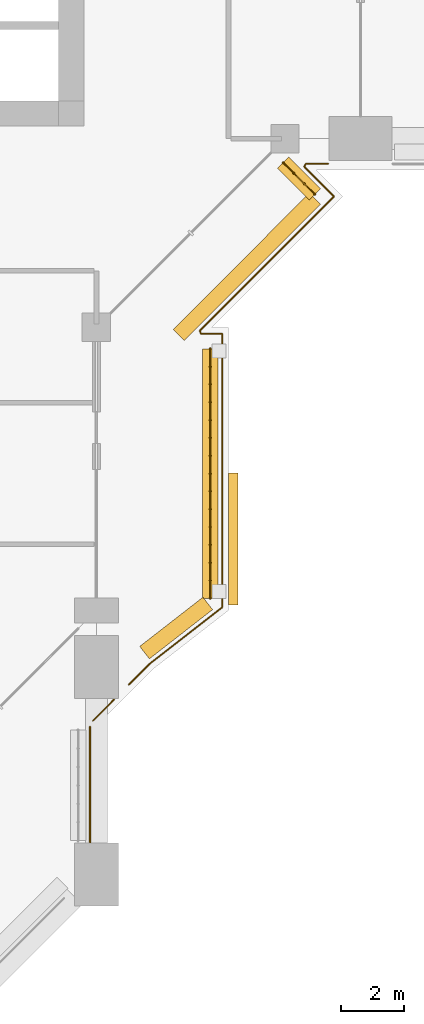
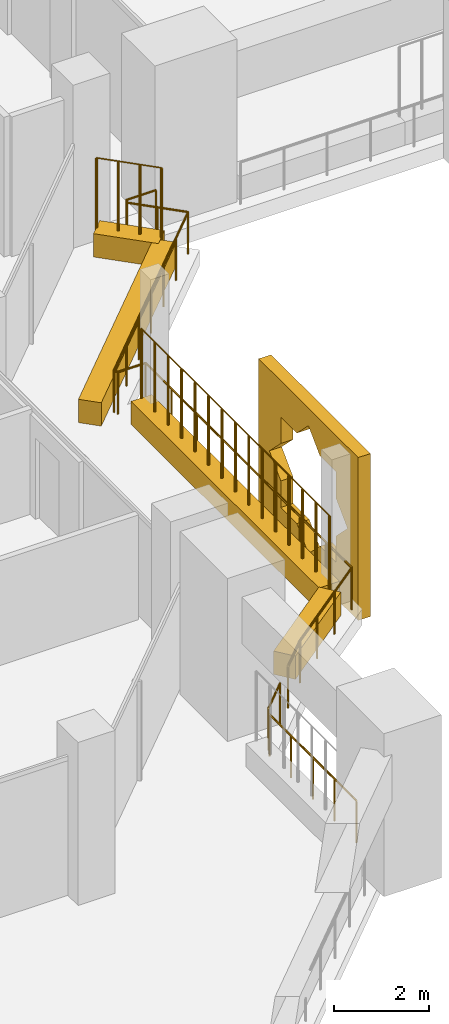
# One storey, part 19 of 24: 5 coverings, 5 railings.
"""IFC4 building model written with IfcOpenShell, lengths in metres."""

from ifc_helpers import new_model, si_unit, direction, frame, origin, origin_2d, place, context, subcontext, project, spatial, polyline, rectangle, circle, outline, extrude, material, material_profile, profile_set, type_object, element, save


model = new_model("IFC4")

# Units and contexts
model_context = context("Model", 3, precision=1e-05, world=origin(), true_north=direction((0.0, 1.0)))
body_context = subcontext(model_context, "Body", "Model", "MODEL_VIEW")
ifc_project = project(units=[si_unit("LENGTHUNIT", "METRE"), si_unit("AREAUNIT", "SQUARE_METRE"), si_unit("VOLUMEUNIT", "CUBIC_METRE"), si_unit("PLANEANGLEUNIT", "RADIAN"), si_unit("MASSUNIT", "GRAM", prefix="KILO")], contexts=[model_context])

# Site, building, storey
site_placement = place(None, origin())
site = spatial("IfcSite", under=ifc_project, at=site_placement, CompositionType="ELEMENT")
building_placement = place(site_placement, origin())
building = spatial("IfcBuilding", under=site, at=building_placement, Name="Kawkab Arch Medical Tower", CompositionType="ELEMENT")
storey_placement = place(building_placement, frame((0.0, 0.0, 218.0)))
storey = spatial("IfcBuildingStorey", under=building, at=storey_placement, Name="L50", CompositionType="ELEMENT", Elevation=218.0)

# Railings
ifc_material_1 = material(Name="Bronze anodised aluminium guard", Category="aluminium")
railing_type_1 = type_object("IfcRailingType", Name="Loggia and terrace guard 1100", PredefinedType="GUARDRAIL", material=ifc_material_1)
railing_1_placement = place(storey_placement, frame((25.0, -47.570068359375, 0.0)))
element("IfcRailing", 1, at=railing_1_placement, inside=storey, type_object=railing_type_1, Name="Guard L50.TER-01.1.5", PredefinedType="GUARDRAIL", context=body_context, shape_type="SweptSolid", body=[
    extrude(circle(Radius=0.02392578125, at=origin_2d()), frame((0.0, 0.0, 1.076171875), z_axis=(0.0, 1.0, 0.0), x_axis=(-1.0, 0.0, 0.0)), (0.0, 0.0, 1.0), 3.6640625),
    extrude(circle(Radius=0.02099609375, at=origin_2d()), origin(), (0.0, 0.0, 1.0), 1.052001953125),
    extrude(circle(Radius=0.02099609375, at=origin_2d()), frame((0.0, 0.916015625, 0.0)), (0.0, 0.0, 1.0), 1.052001953125),
    extrude(circle(Radius=0.02099609375, at=origin_2d()), frame((0.0, 1.83203125, 0.0)), (0.0, 0.0, 1.0), 1.052001953125),
    extrude(circle(Radius=0.02099609375, at=origin_2d()), frame((0.0, 2.748046875, 0.0)), (0.0, 0.0, 1.0), 1.052001953125),
    extrude(circle(Radius=0.02099609375, at=origin_2d()), frame((0.0, 3.6640625, 0.0)), (0.0, 0.0, 1.0), 1.052001953125),
])
railing_2_placement = place(storey_placement, frame((32.570068359375, -26.0, 0.0)))
element("IfcRailing", 2, at=railing_2_placement, inside=storey, type_object=railing_type_1, Name="Guard L50.LOG-01.1.4", PredefinedType="GUARDRAIL", context=body_context, shape_type="SweptSolid", body=[
    extrude(circle(Radius=0.02392578125, at=origin_2d()), frame((0.0, 0.0, 1.076171875), z_axis=(-1.0, 0.0, 0.0), x_axis=(0.0, -1.0, 0.0)), (0.0, 0.0, 1.0), 0.719970703125),
    extrude(circle(Radius=0.02392578125, at=origin_2d()), frame((-0.719970703125, 0.0, 1.076171875), z_axis=(-0.383763674343, -0.923431341387, 0.0), x_axis=(0.923431341387, -0.383763674343, 0.0)), (0.0, 0.0, 1.0), 0.101806640625),
    extrude(circle(Radius=0.02392578125, at=origin_2d()), frame((-0.759033203125, -0.093994140625, 1.076171875), z_axis=(0.707015335112, -0.707198215437, 0.0), x_axis=(0.707198215437, 0.707015335112, 0.0)), (0.0, 0.0, 1.0), 1.3349609375),
    extrude(circle(Radius=0.02392578125, at=origin_2d()), frame((0.184814453125, -1.0380859375, 1.076171875), z_axis=(-0.707025867263, -0.707187685852, 0.0), x_axis=(0.707187685852, -0.707025867263, 0.0)), (0.0, 0.0, 1.0), 6.034912109375),
    extrude(circle(Radius=0.02392578125, at=origin_2d()), frame((-4.08203125, -5.305908203125, 1.076171875), z_axis=(0.383763674343, -0.923431341387, 0.0), x_axis=(0.923431341387, 0.383763674343, 0.0)), (0.0, 0.0, 1.0), 0.101806640625),
    extrude(circle(Radius=0.02392578125, at=origin_2d()), frame((-4.04296875, -5.39990234375, 1.076171875), z_axis=(1.0, 0.0, 0.0), x_axis=(0.0, 1.0, 0.0)), (0.0, 0.0, 1.0), 0.6728515625),
    extrude(circle(Radius=0.02392578125, at=origin_2d()), frame((-3.3701171875, -5.39990234375, 1.076171875), z_axis=(0.0, -1.0, 0.0), x_axis=(1.0, 0.0, 0.0)), (0.0, 0.0, 1.0), 8.7021484375),
    extrude(circle(Radius=0.02392578125, at=origin_2d()), frame((-3.3701171875, -14.10205078125, 1.076171875), z_axis=(-0.789193964876, -0.614144026922, 0.0), x_axis=(0.614144026922, -0.789193964876, 0.0)), (0.0, 0.0, 1.0), 2.907958984375),
    extrude(circle(Radius=0.02392578125, at=origin_2d()), frame((-5.6650390625, -15.887939453125, 1.076171875), z_axis=(-0.706595496657, -0.707617696291, 0.0), x_axis=(0.707617696291, -0.706595496657, 0.0)), (0.0, 0.0, 1.0), 0.955322265625),
    extrude(circle(Radius=0.02099609375, at=origin_2d()), origin(), (0.0, 0.0, 1.0), 1.052001953125),
    extrude(circle(Radius=0.02099609375, at=origin_2d()), frame((-0.719970703125, 0.0, 0.0)), (0.0, 0.0, 1.0), 1.052001953125),
    extrude(circle(Radius=0.02099609375, at=origin_2d()), frame((-0.759033203125, -0.093994140625, 0.0)), (0.0, 0.0, 1.0), 1.052001953125),
    extrude(circle(Radius=0.02099609375, at=origin_2d()), frame((-0.287109375, -0.56591796875, 0.0)), (0.0, 0.0, 1.0), 1.052001953125),
    extrude(circle(Radius=0.02099609375, at=origin_2d()), frame((0.184814453125, -1.0380859375, 0.0)), (0.0, 0.0, 1.0), 1.052001953125),
    extrude(circle(Radius=0.02099609375, at=origin_2d()), frame((-0.5263671875, -1.74951171875, 0.0)), (0.0, 0.0, 1.0), 1.052001953125),
    extrude(circle(Radius=0.02099609375, at=origin_2d()), frame((-1.237548828125, -2.460693359375, 0.0)), (0.0, 0.0, 1.0), 1.052001953125),
    extrude(circle(Radius=0.02099609375, at=origin_2d()), frame((-1.94873046875, -3.171875, 0.0)), (0.0, 0.0, 1.0), 1.052001953125),
    extrude(circle(Radius=0.02099609375, at=origin_2d()), frame((-2.65966796875, -3.88330078125, 0.0)), (0.0, 0.0, 1.0), 1.052001953125),
    extrude(circle(Radius=0.02099609375, at=origin_2d()), frame((-3.370849609375, -4.5947265625, 0.0)), (0.0, 0.0, 1.0), 1.052001953125),
    extrude(circle(Radius=0.02099609375, at=origin_2d()), frame((-4.08203125, -5.305908203125, 0.0)), (0.0, 0.0, 1.0), 1.052001953125),
    extrude(circle(Radius=0.02099609375, at=origin_2d()), frame((-4.04296875, -5.39990234375, 0.0)), (0.0, 0.0, 1.0), 1.052001953125),
    extrude(circle(Radius=0.02099609375, at=origin_2d()), frame((-3.3701171875, -5.39990234375, 0.0)), (0.0, 0.0, 1.0), 1.052001953125),
    extrude(circle(Radius=0.02099609375, at=origin_2d()), frame((-3.3701171875, -6.48779296875, 0.0)), (0.0, 0.0, 1.0), 1.052001953125),
    extrude(circle(Radius=0.02099609375, at=origin_2d()), frame((-3.3701171875, -7.575439453125, 0.0)), (0.0, 0.0, 1.0), 1.052001953125),
    extrude(circle(Radius=0.02099609375, at=origin_2d()), frame((-3.3701171875, -8.6630859375, 0.0)), (0.0, 0.0, 1.0), 1.052001953125),
    extrude(circle(Radius=0.02099609375, at=origin_2d()), frame((-3.3701171875, -9.7509765625, 0.0)), (0.0, 0.0, 1.0), 1.052001953125),
    extrude(circle(Radius=0.02099609375, at=origin_2d()), frame((-3.3701171875, -10.8388671875, 0.0)), (0.0, 0.0, 1.0), 1.052001953125),
    extrude(circle(Radius=0.02099609375, at=origin_2d()), frame((-3.3701171875, -11.926513671875, 0.0)), (0.0, 0.0, 1.0), 1.052001953125),
    extrude(circle(Radius=0.02099609375, at=origin_2d()), frame((-3.3701171875, -13.01416015625, 0.0)), (0.0, 0.0, 1.0), 1.052001953125),
    extrude(circle(Radius=0.02099609375, at=origin_2d()), frame((-3.3701171875, -14.10205078125, 0.0)), (0.0, 0.0, 1.0), 1.052001953125),
    extrude(circle(Radius=0.02099609375, at=origin_2d()), frame((-4.135009765625, -14.697265625, 0.0)), (0.0, 0.0, 1.0), 1.052001953125),
    extrude(circle(Radius=0.02099609375, at=origin_2d()), frame((-4.900146484375, -15.292724609375, 0.0)), (0.0, 0.0, 1.0), 1.052001953125),
    extrude(circle(Radius=0.02099609375, at=origin_2d()), frame((-5.6650390625, -15.887939453125, 0.0)), (0.0, 0.0, 1.0), 1.052001953125),
    extrude(circle(Radius=0.02099609375, at=origin_2d()), frame((-6.340087890625, -16.56396484375, 0.0)), (0.0, 0.0, 1.0), 1.052001953125),
])
railing_3_placement = place(storey_placement, frame((25.763916015625, -43.030029296875, 0.0)))
element("IfcRailing", 3, at=railing_3_placement, inside=storey, type_object=railing_type_1, Name="Guard L50.LOG-01.1.5", PredefinedType="GUARDRAIL", context=body_context, shape_type="SweptSolid", body=[
    extrude(circle(Radius=0.02392578125, at=origin_2d()), frame((0.0, 0.0, 1.076171875), z_axis=(-0.706467502326, -0.707745482612, 0.0), x_axis=(0.707745482612, -0.706467502326, 0.0)), (0.0, 0.0, 1.0), 0.955078125),
    extrude(circle(Radius=0.02099609375, at=origin_2d()), origin(), (0.0, 0.0, 1.0), 1.052001953125),
    extrude(circle(Radius=0.02099609375, at=origin_2d()), frame((-0.6748046875, -0.676025390625, 0.0)), (0.0, 0.0, 1.0), 1.052001953125),
])

# Coverings
ifc_material_2 = material(Name="Bronze anodised aluminium mashrabiya panel, eight-point star pattern", Category="aluminium")
ifc_material_profile_1 = material_profile(ifc_material_2, outline(polyline([(-2.10009765625, -2.10009765625), (2.10009765625, -2.10009765625), (2.10009765625, 2.10009765625), (-2.10009765625, 2.10009765625), (-2.10009765625, -2.10009765625)]), holes=[polyline([(1.64990234375, 0.0), (1.166748046875, 0.4833984375), (1.166748046875, 1.166748046875), (0.4833984375, 1.166748046875), (0.0, 1.64990234375), (-0.4833984375, 1.166748046875), (-1.166748046875, 1.166748046875), (-1.166748046875, 0.4833984375), (-1.64990234375, 0.0), (-1.166748046875, -0.4833984375), (-1.166748046875, -1.166748046875), (-0.4833984375, -1.166748046875), (0.0, -1.64990234375), (0.4833984375, -1.166748046875), (1.166748046875, -1.166748046875), (1.166748046875, -0.4833984375), (1.64990234375, 0.0)])]), Name="Mashrabiya panel 4200x4200")
ifc_profile_set_1 = profile_set([ifc_material_profile_1], Name="Bronze anodised aluminium mashrabiya panel, eight-point star pattern")
covering_type_1 = type_object("IfcCoveringType", Name="Mashrabiya panel 4200 x 4200", PredefinedType="USERDEFINED", material=ifc_profile_set_1)
covering_1_placement = place(storey_placement, frame((29.39990234375, -37.9287109375, 1.699951171875), z_axis=(1.0, 0.0, 0.0), x_axis=(0.0, 1.0, 0.0)))
element("IfcCovering", 4, at=covering_1_placement, inside=storey, type_object=covering_type_1, Name="Mashrabiya panel L50.LOG-01-01.10", ObjectType="SCREEN", PredefinedType="USERDEFINED", context=body_context, shape_type="SweptSolid", body=[
    extrude(outline(polyline([(-2.10009765625, -2.10009765625), (2.10009765625, -2.10009765625), (2.10009765625, 2.10009765625), (-2.10009765625, 2.10009765625), (-2.10009765625, -2.10009765625)]), holes=[polyline([(1.64990234375, 0.0), (1.166748046875, 0.4833984375), (1.166748046875, 1.166748046875), (0.4833984375, 1.166748046875), (0.0, 1.64990234375), (-0.4833984375, 1.166748046875), (-1.166748046875, 1.166748046875), (-1.166748046875, 0.4833984375), (-1.64990234375, 0.0), (-1.166748046875, -0.4833984375), (-1.166748046875, -1.166748046875), (-0.4833984375, -1.166748046875), (0.0, -1.64990234375), (0.4833984375, -1.166748046875), (1.166748046875, -1.166748046875), (1.166748046875, -0.4833984375), (1.64990234375, 0.0)])]), origin(), (0.0, 0.0, 1.0), 0.300048828125),
])
ifc_material_3 = material(Name="Planting soil in a precast trough", Category="concrete")
ifc_material_profile_2 = material_profile(ifc_material_3, rectangle(XDim=0.5, YDim=0.60009765625, at=origin_2d()), Name="Trough 500x600")
ifc_profile_set_2 = profile_set([ifc_material_profile_2], Name="Planting soil in a precast trough")
covering_type_2 = type_object("IfcCoveringType", Name="Planter trough 500 x 600", PredefinedType="USERDEFINED", material=ifc_profile_set_2)
covering_2_placement = place(storey_placement, frame((31.14306640625, -25.962890625, 0.300048828125), z_axis=(0.707020805532, -0.707192746389, 0.0), x_axis=(0.707192746389, 0.707020805532, 0.0)))
element("IfcCovering", 5, at=covering_2_placement, inside=storey, type_object=covering_type_2, Name="Planter L50.LOG-01-01.39", ObjectType="PLANTER", PredefinedType="USERDEFINED", context=body_context, shape_type="SweptSolid", body=[
    extrude(rectangle(XDim=0.5, YDim=0.60009765625, at=origin_2d()), origin(), (0.0, 0.0, 1.0), 1.419921875),
])
covering_3_placement = place(storey_placement, frame((32.14697265625, -27.10888671875, 0.300048828125), z_axis=(-0.707007043994, -0.707206504313, 0.0), x_axis=(0.707206504313, -0.707007043994, 0.0)))
element("IfcCovering", 6, at=covering_3_placement, inside=storey, type_object=covering_type_2, Name="Planter L50.LOG-01-01.40", ObjectType="PLANTER", PredefinedType="USERDEFINED", context=body_context, shape_type="SweptSolid", body=[
    extrude(rectangle(XDim=0.5, YDim=0.60009765625, at=origin_2d()), origin(), (0.0, 0.0, 1.0), 6.1201171875),
])
covering_4_placement = place(storey_placement, frame((28.820068359375, -31.8798828125, 0.300048828125), z_axis=(0.0, -1.0, 0.0), x_axis=(1.0, 0.0, 0.0)))
element("IfcCovering", 7, at=covering_4_placement, inside=storey, type_object=covering_type_2, Name="Planter L50.LOG-01-01.41", ObjectType="PLANTER", PredefinedType="USERDEFINED", context=body_context, shape_type="SweptSolid", body=[
    extrude(rectangle(XDim=0.5, YDim=0.60009765625, at=origin_2d()), origin(), (0.0, 0.0, 1.0), 7.93603515625),
])
covering_5_placement = place(storey_placement, frame((28.740966796875, -39.97802734375, 0.300048828125), z_axis=(-0.789274742246, -0.61404021143, 0.0), x_axis=(0.61404021143, -0.789274742246, 0.0)))
element("IfcCovering", 8, at=covering_5_placement, inside=storey, type_object=covering_type_2, Name="Planter L50.LOG-01-01.42", ObjectType="PLANTER", PredefinedType="USERDEFINED", context=body_context, shape_type="SweptSolid", body=[
    extrude(rectangle(XDim=0.5, YDim=0.60009765625, at=origin_2d()), origin(), (0.0, 0.0, 1.0), 2.54541015625),
])

# Railings
ifc_material_4 = material(Name="Bronze anodised aluminium trellis for climbing plants", Category="aluminium")
railing_type_2 = type_object("IfcRailingType", Name="Planting trellis 2400", PredefinedType="USERDEFINED", material=ifc_material_4)
railing_4_placement = place(storey_placement, frame((31.14306640625, -25.962890625, 0.0)))
element("IfcRailing", 9, at=railing_4_placement, inside=storey, type_object=railing_type_2, Name="Planting trellis L50.LOG-01-01.39", ObjectType="TRELLIS", PredefinedType="USERDEFINED", context=body_context, shape_type="SweptSolid", body=[
    extrude(circle(Radius=0.01513671875, at=origin_2d()), frame((0.0, 0.0, 2.384765625), z_axis=(0.707020805532, -0.707192746389, 0.0), x_axis=(0.707192746389, 0.707020805532, 0.0)), (0.0, 0.0, 1.0), 1.419921875),
    extrude(circle(Radius=0.030029296875, at=origin_2d()), origin(), (0.0, 0.0, 1.0), 2.369873046875),
    extrude(circle(Radius=0.030029296875, at=origin_2d()), frame((0.334716796875, -0.334716796875, 0.0)), (0.0, 0.0, 1.0), 2.369873046875),
    extrude(circle(Radius=0.030029296875, at=origin_2d()), frame((0.669189453125, -0.66943359375, 0.0)), (0.0, 0.0, 1.0), 2.369873046875),
    extrude(circle(Radius=0.030029296875, at=origin_2d()), frame((1.00390625, -1.004150390625, 0.0)), (0.0, 0.0, 1.0), 2.369873046875),
])
railing_5_placement = place(storey_placement, frame((28.820068359375, -31.8798828125, 0.0)))
element("IfcRailing", 10, at=railing_5_placement, inside=storey, type_object=railing_type_2, Name="Planting trellis L50.LOG-01-01.41", ObjectType="TRELLIS", PredefinedType="USERDEFINED", context=body_context, shape_type="SweptSolid", body=[
    extrude(circle(Radius=0.01513671875, at=origin_2d()), frame((0.0, 0.0, 2.384765625), z_axis=(0.0, -1.0, 0.0), x_axis=(1.0, 0.0, 0.0)), (0.0, 0.0, 1.0), 7.93603515625),
    extrude(circle(Radius=0.030029296875, at=origin_2d()), origin(), (0.0, 0.0, 1.0), 2.369873046875),
    extrude(circle(Radius=0.030029296875, at=origin_2d()), frame((0.0, -0.56689453125, 0.0)), (0.0, 0.0, 1.0), 2.369873046875),
    extrude(circle(Radius=0.030029296875, at=origin_2d()), frame((0.0, -1.1337890625, 0.0)), (0.0, 0.0, 1.0), 2.369873046875),
    extrude(circle(Radius=0.030029296875, at=origin_2d()), frame((0.0, -1.70068359375, 0.0)), (0.0, 0.0, 1.0), 2.369873046875),
    extrude(circle(Radius=0.030029296875, at=origin_2d()), frame((0.0, -2.267333984375, 0.0)), (0.0, 0.0, 1.0), 2.369873046875),
    extrude(circle(Radius=0.030029296875, at=origin_2d()), frame((0.0, -2.834228515625, 0.0)), (0.0, 0.0, 1.0), 2.369873046875),
    extrude(circle(Radius=0.030029296875, at=origin_2d()), frame((0.0, -3.401123046875, 0.0)), (0.0, 0.0, 1.0), 2.369873046875),
    extrude(circle(Radius=0.030029296875, at=origin_2d()), frame((0.0, -3.968017578125, 0.0)), (0.0, 0.0, 1.0), 2.369873046875),
    extrude(circle(Radius=0.030029296875, at=origin_2d()), frame((0.0, -4.534912109375, 0.0)), (0.0, 0.0, 1.0), 2.369873046875),
    extrude(circle(Radius=0.030029296875, at=origin_2d()), frame((0.0, -5.101806640625, 0.0)), (0.0, 0.0, 1.0), 2.369873046875),
    extrude(circle(Radius=0.030029296875, at=origin_2d()), frame((0.0, -5.668701171875, 0.0)), (0.0, 0.0, 1.0), 2.369873046875),
    extrude(circle(Radius=0.030029296875, at=origin_2d()), frame((0.0, -6.2353515625, 0.0)), (0.0, 0.0, 1.0), 2.369873046875),
    extrude(circle(Radius=0.030029296875, at=origin_2d()), frame((0.0, -6.80224609375, 0.0)), (0.0, 0.0, 1.0), 2.369873046875),
    extrude(circle(Radius=0.030029296875, at=origin_2d()), frame((0.0, -7.369140625, 0.0)), (0.0, 0.0, 1.0), 2.369873046875),
    extrude(circle(Radius=0.030029296875, at=origin_2d()), frame((0.0, -7.93603515625, 0.0)), (0.0, 0.0, 1.0), 2.369873046875),
])

save(model, "model.ifc")
